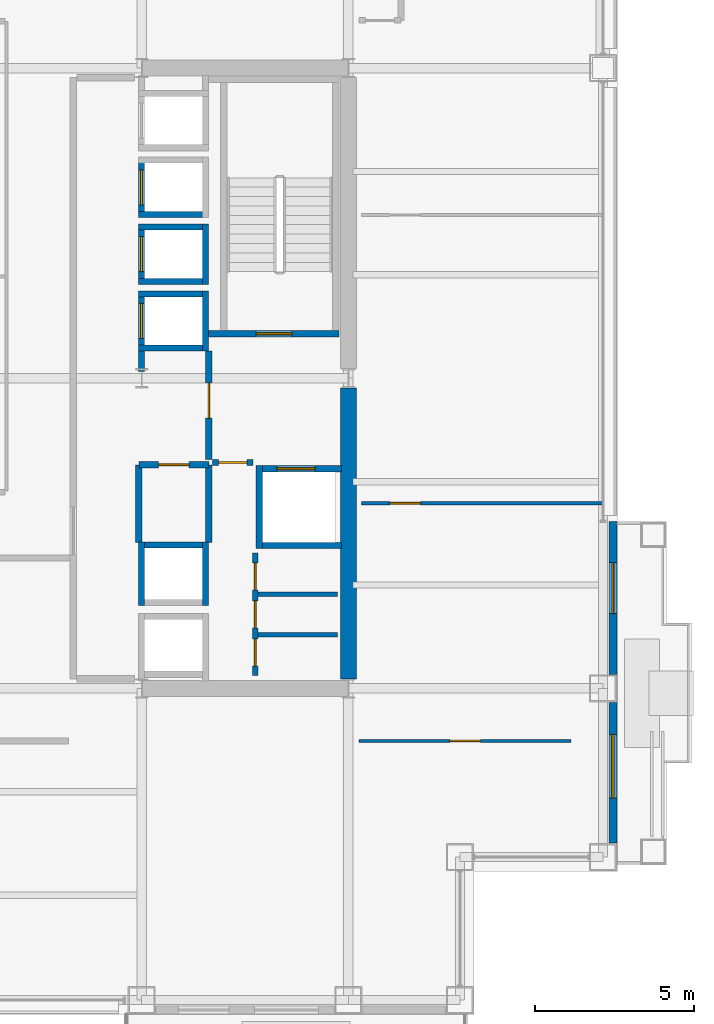
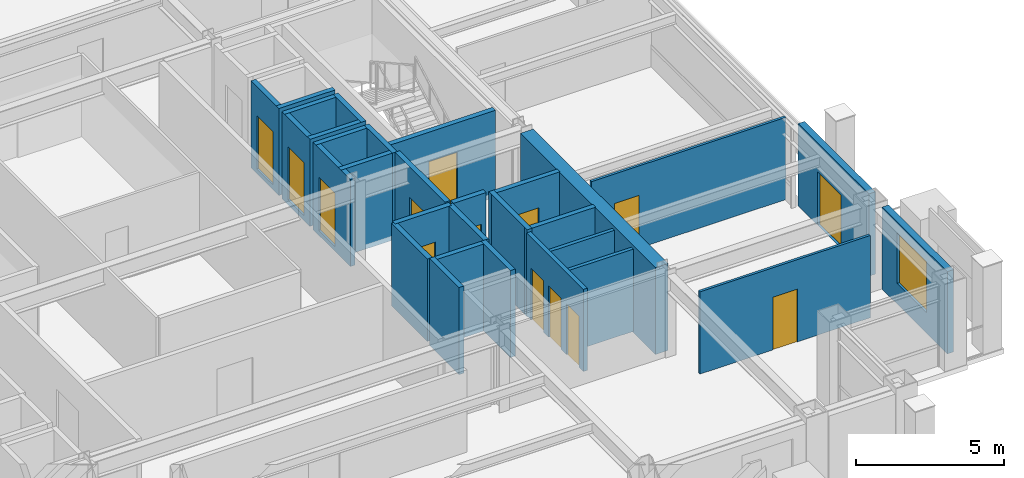
# One storey, part 27 of 32: 30 walls, 14 doors, 1 window, 15 openings.
"""IFC4 building model written with IfcOpenShell, lengths in metres."""

import ifcopenshell
import ifcopenshell.guid

model = None  # the IFC model being written
_history = None  # IfcOwnerHistory: only IFC2X3 demands one
_inside = {}  # id of a spatial element -> (the spatial element, [elements in it])
_under = {}  # id of a project, library or spatial element -> (it, [spatial elements below it])
_declared = {}  # id of a project -> (the project, [libraries it declares])
_typed = {}  # id of a type object -> (the type object, [elements of that type])
_made_of = {}  # id of a material, layer set ... -> (it, [elements and type objects made of it])


def new_model(schema):
    """Start an empty IFC model of exactly this schema.

    Asked for "IFC4X3", IfcOpenShell would pick the latest addendum, in which some entities
    have other attributes; the version numbers below select the first issue.
    IFC2X3 requires an IfcOwnerHistory on every rooted entity: one is made here for all.
    """
    global model, _history
    if schema == "IFC4X3":
        model = ifcopenshell.file(schema_version=(4, 3, 0, 0))
    else:
        model = ifcopenshell.file(schema=schema)
    _inside.clear()
    _under.clear()
    _declared.clear()
    _typed.clear()
    _made_of.clear()
    _history = None
    if model.schema == "IFC2X3":
        org = make("IfcOrganization", Name="unknown")
        user = make(
            "IfcPersonAndOrganization",
            ThePerson=make("IfcPerson", FamilyName="unknown"),
            TheOrganization=org,
        )
        app = make(
            "IfcApplication",
            ApplicationDeveloper=org,
            Version="unknown",
            ApplicationFullName="unknown",
            ApplicationIdentifier="unknown",
        )
        _history = make(
            "IfcOwnerHistory",
            OwningUser=user,
            OwningApplication=app,
            ChangeAction="ADDED",
            CreationDate=0,
        )
    return model


def make(cls, **values):
    """One entity of the class cls with the attributes given. An attribute that is None is left unset."""
    return model.create_entity(
        cls, **{name: value for name, value in values.items() if value is not None}
    )


def rooted(cls, **values):
    """An entity with a GlobalId (a new one), such as an element, a storey or a relation."""
    return make(cls, GlobalId=ifcopenshell.guid.new(), OwnerHistory=_history, **values)


def si_unit(unit_type, name, prefix=None):
    """IfcSIUnit, for example si_unit("LENGTHUNIT", "METRE", prefix="MILLI")."""
    return make("IfcSIUnit", UnitType=unit_type, Prefix=prefix, Name=name)


def assignment(units):
    """IfcUnitAssignment: the units of a project."""
    return None if units is None else make("IfcUnitAssignment", Units=units)


def point(xyz):
    """IfcCartesianPoint."""
    return None if xyz is None else make("IfcCartesianPoint", Coordinates=xyz)


def direction(xyz):
    """IfcDirection."""
    return None if xyz is None else make("IfcDirection", DirectionRatios=xyz)


def frame(location, z_axis=None, x_axis=None):
    """IfcAxis2Placement3D, a coordinate frame: its origin and axes. An axis left out is left unset."""
    return make(
        "IfcAxis2Placement3D",
        Location=point(location),
        Axis=direction(z_axis),
        RefDirection=direction(x_axis),
    )


def frame_2d(location, x_axis=None):
    """IfcAxis2Placement2D, a coordinate frame in the plane: its origin and x axis."""
    return make(
        "IfcAxis2Placement2D", Location=point(location), RefDirection=direction(x_axis)
    )


def origin():
    """The frame at (0, 0, 0) with its axes left unset."""
    return frame((0.0, 0.0, 0.0))


def place(relative_to, where):
    """IfcLocalPlacement: puts the frame where relative to a parent placement (None: the world)."""
    return make(
        "IfcLocalPlacement", PlacementRelTo=relative_to, RelativePlacement=where
    )


def context(
    kind, dimensions, precision=None, world=None, true_north=None, identifier=None
):
    """IfcGeometricRepresentationContext, for example the 3D "Model" context."""
    return make(
        "IfcGeometricRepresentationContext",
        ContextIdentifier=identifier,
        ContextType=kind,
        CoordinateSpaceDimension=dimensions,
        Precision=precision,
        WorldCoordinateSystem=world,
        TrueNorth=true_north,
    )


def subcontext(parent, identifier, kind, view, scale=None):
    """IfcGeometricRepresentationSubContext, for example "Body" below "Model"."""
    return make(
        "IfcGeometricRepresentationSubContext",
        ContextIdentifier=identifier,
        ContextType=kind,
        ParentContext=parent,
        TargetScale=scale,
        TargetView=view,
    )


def project(units=None, contexts=None):
    """IfcProject with its units and contexts."""
    return rooted(
        "IfcProject",
        Name="project",
        RepresentationContexts=contexts,
        UnitsInContext=assignment(units),
    )


def spatial(cls, under=None, at=None, **own):
    """A site, building, storey or space (cls), placed at a placement, below another one or the project."""
    s = rooted(cls, ObjectPlacement=at, **own)
    if under is not None:
        _under.setdefault(under.id(), (under, []))[1].append(s)
    return s


def profile(cls, at=None, kind="AREA", **sizes):
    """A parametric profile (cls). Its sizes go by their IFC names, for example OverallWidth=200.0."""
    return make(cls, ProfileType=kind, Position=at, **sizes)


def rectangle(**sizes):
    """IfcRectangleProfileDef."""
    return profile("IfcRectangleProfileDef", **sizes)


def extrude(swept, where, along, depth):
    """IfcExtrudedAreaSolid: the profile swept, set in the frame where, extruded along a direction by depth."""
    return make(
        "IfcExtrudedAreaSolid",
        SweptArea=swept,
        Position=where,
        ExtrudedDirection=direction(along),
        Depth=depth,
    )


def shape(context_of_items, identifier, shape_type, items):
    """IfcShapeRepresentation: the items that make up one representation, for example the "Body"."""
    return make(
        "IfcShapeRepresentation",
        ContextOfItems=context_of_items,
        RepresentationIdentifier=identifier,
        RepresentationType=shape_type,
        Items=items,
    )


def material(Name=None, Category=None):
    """IfcMaterial."""
    return make("IfcMaterial", Name=Name, Category=Category)


def layer(
    of_material, thickness, ventilated=None, Name=None, Category=None, Priority=None
):
    """IfcMaterialLayer: one layer of a wall or slab, of a material (None: an air gap)."""
    return make(
        "IfcMaterialLayer",
        Material=of_material,
        LayerThickness=thickness,
        IsVentilated=ventilated,
        Name=Name,
        Category=Category,
        Priority=Priority,
    )


def layer_set(layers, Name=None):
    """IfcMaterialLayerSet."""
    return make("IfcMaterialLayerSet", MaterialLayers=layers, LayerSetName=Name)


def made_of(thing, what):
    """Note that an element or type object is made of a material, layer set ...; save() writes the relation."""
    if what is not None:
        _made_of.setdefault(what.id(), (what, []))[1].append(thing)
    return thing


def type_object(cls, material=None, **own):
    """A type object (cls), such as IfcWallType, which elements share."""
    return made_of(rooted(cls, **own), material)


def element(
    cls,
    number,
    at=None,
    inside=None,
    cuts=None,
    type_object=None,
    material=None,
    context=None,
    identifier="Body",
    shape_type=None,
    held_by="IfcProductDefinitionShape",
    body=None,
    shapes=None,
    **own,
):
    """One element of the class cls, such as IfcWall. Its Tag is "e" and its number.

    at: its placement. inside: the storey or other place that contains it. cuts: it is an
    opening in that element (IfcRelVoidsElement). A single representation is given by context,
    identifier, shape_type and body (its items); several are given by shapes. held_by: the class
    of the entity that holds the representations. save() writes the other relations.
    """
    e = rooted(cls, Tag="e%d" % number, ObjectPlacement=at, **own)
    if body is not None:
        shapes = [shape(context, identifier, shape_type, body)]
    if shapes is not None:
        e.Representation = make(held_by, Representations=shapes)
    if inside is not None:
        _inside.setdefault(inside.id(), (inside, []))[1].append(e)
    if cuts is not None:
        rooted(
            "IfcRelVoidsElement", RelatingBuildingElement=cuts, RelatedOpeningElement=e
        )
    if type_object is not None:
        _typed.setdefault(type_object.id(), (type_object, []))[1].append(e)
    return made_of(e, material)


def fill(opening, filler):
    """IfcRelFillsElement: the door or window that sits in an opening."""
    return rooted(
        "IfcRelFillsElement",
        RelatingOpeningElement=opening,
        RelatedBuildingElement=filler,
    )


def aggregate(whole, parts):
    """IfcRelAggregates: a whole, such as a stair, and the parts it consists of."""
    return rooted("IfcRelAggregates", RelatingObject=whole, RelatedObjects=parts)


def save(model, path):
    """Write the relations noted so far, then the file.

    IfcRelAggregates (storeys below a building ...), IfcRelContainedInSpatialStructure (elements
    in a storey), IfcRelDefinesByType, IfcRelAssociatesMaterial and IfcRelDeclares: one each for
    every whole, place, type object, material and project.
    """
    for whole, parts in _under.values():
        aggregate(whole, parts)
    for where, things in _inside.values():
        rooted(
            "IfcRelContainedInSpatialStructure",
            RelatedElements=things,
            RelatingStructure=where,
        )
    for kind, things in _typed.values():
        rooted("IfcRelDefinesByType", RelatedObjects=things, RelatingType=kind)
    for what, things in _made_of.values():
        rooted("IfcRelAssociatesMaterial", RelatedObjects=things, RelatingMaterial=what)
    for by, libraries in _declared.values():
        rooted("IfcRelDeclares", RelatingContext=by, RelatedDefinitions=libraries)
    model.write(path)


model = new_model("IFC4")

# Units and contexts
model_context = context("Model", 3, precision=1e-05, world=origin(), true_north=direction((0.0, 1.0)))
body_context = subcontext(model_context, "Body", "Model", "MODEL_VIEW")
ifc_project = project(units=[si_unit("LENGTHUNIT", "METRE"), si_unit("AREAUNIT", "SQUARE_METRE"), si_unit("VOLUMEUNIT", "CUBIC_METRE"), si_unit("PLANEANGLEUNIT", "RADIAN"), si_unit("MASSUNIT", "GRAM", prefix="KILO")], contexts=[model_context])

# Site, building, storey
site_placement = place(None, origin())
site = spatial("IfcSite", under=ifc_project, at=site_placement, CompositionType="ELEMENT")
building_placement = place(site_placement, origin())
building = spatial("IfcBuilding", under=site, at=building_placement, Name="Brelmoor Portico Tower", CompositionType="ELEMENT")
storey_placement = place(building_placement, frame((0.0, 0.0, 109.800048828125)))
storey = spatial("IfcBuildingStorey", under=building, at=storey_placement, Name="L28", CompositionType="ELEMENT", Elevation=109.800048828125)

# Wall
ifc_material_1 = material(Name="Concrete C60", Category="concrete")
ifc_layer_1 = layer(ifc_material_1, 0.5)
ifc_layer_set_1 = layer_set([ifc_layer_1], Name="Concrete C60")
wall_type_1 = type_object("IfcWallType", Name="WL-CORE-500", PredefinedType="SHEAR", material=ifc_layer_set_1)
wall_1_placement = place(storey_placement, frame((14.550048828125, -9.449951171875, -0.199951171875), z_axis=(0.0, 0.0, 1.0), x_axis=(0.0, 1.0, 0.0)))
element("IfcWall", 1, at=wall_1_placement, inside=storey, type_object=wall_type_1, Name="L28 EC Outer South Shear Wall", PredefinedType="SHEAR", context=body_context, shape_type="SweptSolid", body=[
    extrude(rectangle(XDim=9.14990234375, YDim=0.5, at=frame_2d((4.574951171875, 0.0))), origin(), (0.0, 0.0, 1.0), 3.599853515625),
])

# Wall, opening, window
ifc_material_2 = material(Name="Precast Concrete C40 Insulated Facade Wall", Category="concrete")
ifc_layer_2 = layer(ifc_material_2, 0.25)
ifc_layer_set_2 = layer_set([ifc_layer_2], Name="Precast Concrete C40 Insulated Facade Wall")
wall_type_2 = type_object("IfcWallType", Name="WL-EXT-250", PredefinedType="STANDARD", material=ifc_layer_set_2)
wall_2_placement = place(storey_placement, frame((22.860107421875, -14.60498046875, 0.0), z_axis=(0.0, 0.0, 1.0), x_axis=(0.0, 1.0, 0.0)))
wall_2 = element("IfcWall", 2, at=wall_2_placement, inside=storey, type_object=wall_type_2, Name="L28 Loggia Threshold Wall E-1", PredefinedType="STANDARD", context=body_context, shape_type="SweptSolid", body=[
    extrude(rectangle(XDim=4.409912109375, YDim=0.25, at=frame_2d((2.205078125, 0.0))), origin(), (0.0, 0.0, 1.0), 3.39990234375),
])
opening_1_placement = place(wall_2_placement, frame((1.405029296875, 0.0, 0.85009765625)))
opening_1 = element("IfcOpeningElement", 3, at=opening_1_placement, cuts=wall_2, Name="Opening W-03", PredefinedType="OPENING", context=body_context, shape_type="SweptSolid", body=[
    extrude(rectangle(XDim=2.0, YDim=2.10009765625, at=frame_2d((1.0, 1.050048828125))), frame((0.0, 0.135009765625, 0.0), z_axis=(0.0, -1.0, 0.0), x_axis=(1.0, 0.0, 0.0)), (0.0, 0.0, 1.0), 0.27001953125),
])
ifc_material_3 = material(Name="Thermally Broken Aluminium Low-E Window", Category="aluminium")
window_type = type_object("IfcWindowType", Name="WN-LOGGIA-2000x2100", PartitioningType="SINGLE_PANEL", PredefinedType="WINDOW", material=ifc_material_3)
window_placement = place(opening_1_placement, origin())
window = element("IfcWindow", 4, at=window_placement, inside=storey, type_object=window_type, Name="L28 Loggia Window E", OverallHeight=2.10009765625, OverallWidth=2.0, PartitioningType="SINGLE_PANEL", PredefinedType="WINDOW", context=body_context, shape_type="SweptSolid", body=[
    extrude(rectangle(XDim=2.0, YDim=2.10009765625, at=frame_2d((1.0, 1.050048828125))), frame((0.0, 0.030029296875, 0.0), z_axis=(0.0, -1.0, 0.0), x_axis=(1.0, 0.0, 0.0)), (0.0, 0.0, 1.0), 0.06005859375),
])
fill(opening_1, window)

# Wall, opening, door
wall_3_placement = place(storey_placement, frame((22.860107421875, -9.304931640625, 0.0), z_axis=(0.0, 0.0, 1.0), x_axis=(0.0, 1.0, 0.0)))
wall_3 = element("IfcWall", 5, at=wall_3_placement, inside=storey, type_object=wall_type_2, Name="L28 Loggia Threshold Wall E-2", PredefinedType="STANDARD", context=body_context, shape_type="SweptSolid", body=[
    extrude(rectangle(XDim=4.804931640625, YDim=0.25, at=frame_2d((2.40234375, 0.0))), origin(), (0.0, 0.0, 1.0), 3.39990234375),
])
opening_2_placement = place(wall_3_placement, frame((1.905029296875, 0.0, 0.0)))
opening_2 = element("IfcOpeningElement", 6, at=opening_2_placement, cuts=wall_3, Name="Opening D-TB1", PredefinedType="OPENING", context=body_context, shape_type="SweptSolid", body=[
    extrude(rectangle(XDim=1.60009765625, YDim=2.199951171875, at=frame_2d((0.800048828125, 1.10009765625))), frame((0.0, 0.135009765625, 0.0), z_axis=(0.0, -1.0, 0.0), x_axis=(1.0, 0.0, 0.0)), (0.0, 0.0, 1.0), 0.27001953125),
])
ifc_material_4 = material(Name="Double-Leaf Thermally Broken Terrace Door", Category="aluminium")
door_type_1 = type_object("IfcDoorType", Name="DR-BALCONY-1600", OperationType="NOTDEFINED", PredefinedType="DOOR", material=ifc_material_4)
door_1_placement = place(opening_2_placement, origin())
door_1 = element("IfcDoor", 7, at=door_1_placement, inside=storey, type_object=door_type_1, Name="D-1251 L28 Tree Balcony Double Door E", OperationType="DOUBLE_DOOR_SINGLE_SWING", OverallHeight=2.199951171875, OverallWidth=1.60009765625, PredefinedType="DOOR", context=body_context, shape_type="SweptSolid", body=[
    extrude(rectangle(XDim=1.60009765625, YDim=2.199951171875, at=frame_2d((0.800048828125, 1.10009765625))), frame((0.0, 0.02490234375, 0.0), z_axis=(0.0, -1.0, 0.0), x_axis=(1.0, 0.0, 0.0)), (0.0, 0.0, 1.0), 0.050048828125),
])
fill(opening_2, door_1)

ifc_material_5 = material(Name="Demountable Glazed Office Partition", Category="aluminium")
ifc_layer_3 = layer(ifc_material_5, 0.10009765625)
ifc_layer_set_3 = layer_set([ifc_layer_3], Name="Demountable Glazed Office Partition")
wall_type_3 = type_object("IfcWallType", Name="WL-PART-100", PredefinedType="PARTITIONING", material=ifc_layer_set_3)
wall_4_placement = place(storey_placement, frame((14.8798828125, -11.39990234375, 0.0), z_axis=(0.0, 0.0, 1.0), x_axis=(1.0, 0.0, 0.0)))
wall_4 = element("IfcWall", 8, at=wall_4_placement, inside=storey, type_object=wall_type_3, Name="L28 South Wing Closure ER", PredefinedType="PARTITIONING", context=body_context, shape_type="SweptSolid", body=[
    extrude(rectangle(XDim=6.670166015625, YDim=0.10009765625, at=frame_2d((3.3349609375, 0.0))), origin(), (0.0, 0.0, 1.0), 3.39990234375),
])
opening_3_placement = place(wall_4_placement, frame((2.85498046875, 0.0, 0.0)))
opening_3 = element("IfcOpeningElement", 9, at=opening_3_placement, cuts=wall_4, Name="Opening D-IN2", PredefinedType="OPENING", context=body_context, shape_type="SweptSolid", body=[
    extrude(rectangle(XDim=0.9599609375, YDim=2.179931640625, at=frame_2d((0.47998046875, 1.08984375))), frame((0.0, 0.06005859375, 0.0), z_axis=(0.0, -1.0, 0.0), x_axis=(1.0, 0.0, 0.0)), (0.0, 0.0, 1.0), 0.1201171875),
])
ifc_material_6 = material(Name="Lacquered Timber Suite Door", Category="wood")
door_type_2 = type_object("IfcDoorType", Name="DR-INT-950", OperationType="NOTDEFINED", PredefinedType="DOOR", material=ifc_material_6)
door_2_placement = place(opening_3_placement, origin())
door_2 = element("IfcDoor", 10, at=door_2_placement, inside=storey, type_object=door_type_2, Name="D-1249 L28 ER Wing South Suite Door", OperationType="SINGLE_SWING_LEFT", OverallHeight=2.179931640625, OverallWidth=0.9599609375, PredefinedType="DOOR", context=body_context, shape_type="SweptSolid", body=[
    extrude(rectangle(XDim=0.9599609375, YDim=2.179931640625, at=frame_2d((0.47998046875, 1.08984375))), frame((0.0, 0.02490234375, 0.0), z_axis=(0.0, -1.0, 0.0), x_axis=(1.0, 0.0, 0.0)), (0.0, 0.0, 1.0), 0.050048828125),
])
fill(opening_3, door_2)

wall_5_placement = place(storey_placement, frame((14.9599609375, -3.929931640625, 0.0), z_axis=(0.0, 0.0, 1.0), x_axis=(1.0, 0.0, 0.0)))
wall_5 = element("IfcWall", 11, at=wall_5_placement, inside=storey, type_object=wall_type_3, Name="L28 E Wing Partition 1", PredefinedType="PARTITIONING", context=body_context, shape_type="SweptSolid", body=[
    extrude(rectangle(XDim=7.60009765625, YDim=0.10009765625, at=frame_2d((3.800048828125, 0.0))), origin(), (0.0, 0.0, 1.0), 3.39990234375),
])
opening_4_placement = place(wall_5_placement, frame((0.89990234375, 0.0, 0.0)))
opening_4 = element("IfcOpeningElement", 12, at=opening_4_placement, cuts=wall_5, Name="Opening D-IN2", PredefinedType="OPENING", context=body_context, shape_type="SweptSolid", body=[
    extrude(rectangle(XDim=0.9599609375, YDim=2.179931640625, at=frame_2d((0.47998046875, 1.08984375))), frame((0.0, 0.06005859375, 0.0), z_axis=(0.0, -1.0, 0.0), x_axis=(1.0, 0.0, 0.0)), (0.0, 0.0, 1.0), 0.1201171875),
])
door_3_placement = place(opening_4_placement, origin())
door_3 = element("IfcDoor", 13, at=door_3_placement, inside=storey, type_object=door_type_2, Name="D-1254 L28 E Wing Suite Connecting Door 1", OperationType="SINGLE_SWING_RIGHT", OverallHeight=2.179931640625, OverallWidth=0.9599609375, PredefinedType="DOOR", context=body_context, shape_type="SweptSolid", body=[
    extrude(rectangle(XDim=0.9599609375, YDim=2.179931640625, at=frame_2d((0.47998046875, 1.08984375))), frame((0.0, 0.02490234375, 0.0), z_axis=(0.0, -1.0, 0.0), x_axis=(1.0, 0.0, 0.0)), (0.0, 0.0, 1.0), 0.050048828125),
])
fill(opening_4, door_3)

# Walls
ifc_material_7 = material(Name="Insulated Stud Suite Partition", Category="gypsum")
ifc_layer_4 = layer(ifc_material_7, 0.139892578125)
ifc_layer_set_4 = layer_set([ifc_layer_4], Name="Insulated Stud Suite Partition")
wall_type_4 = type_object("IfcWallType", Name="WL-PART-140", PredefinedType="PARTITIONING", material=ifc_layer_set_4)
for number, where, z_axis, x_axis, name in (
    (14, (11.699951171875, -8.066650390625, 0.0), (0.0, 0.0, 1.0), (1.0, 0.0, 0.0), "L28 E Core WC Divider 1"),
    (15, (11.699951171875, -6.783203125, 0.0), (0.0, 0.0, 1.0), (1.0, 0.0, 0.0), "L28 E Core WC Divider 2"),
):
    element("IfcWall", number, at=place(storey_placement, frame(where, z_axis=z_axis, x_axis=x_axis)), inside=storey, type_object=wall_type_4, Name=name, PredefinedType="PARTITIONING", context=body_context, shape_type="SweptSolid", body=[
        extrude(rectangle(XDim=2.5, YDim=0.139892578125, at=frame_2d((1.25, 0.0))), origin(), (0.0, 0.0, 1.0), 3.39990234375),
    ])

# Wall, openings, doors
ifc_material_8 = material(Name="Twin-Frame Acoustic Partition", Category="gypsum")
ifc_layer_5 = layer(ifc_material_8, 0.159912109375)
ifc_layer_set_5 = layer_set([ifc_layer_5], Name="Twin-Frame Acoustic Partition")
wall_type_5 = type_object("IfcWallType", Name="WL-PART-160", PredefinedType="PARTITIONING", material=ifc_layer_set_5)
wall_6_placement = place(storey_placement, frame((11.6201171875, -9.35009765625, 0.0), z_axis=(0.0, 0.0, 1.0), x_axis=(0.0, 1.0, 0.0)))
wall_6 = element("IfcWall", 16, at=wall_6_placement, inside=storey, type_object=wall_type_5, Name="L28 E Core Service Front Wall", PredefinedType="PARTITIONING", context=body_context, shape_type="SweptSolid", body=[
    extrude(rectangle(XDim=3.85009765625, YDim=0.159912109375, at=frame_2d((1.925048828125, 0.0))), origin(), (0.0, 0.0, 1.0), 3.39990234375),
])
opening_5_placement = place(wall_6_placement, frame((0.300048828125, 0.0, 0.0)))
opening_5 = element("IfcOpeningElement", 17, at=opening_5_placement, cuts=wall_6, Name="Opening D-WC1", PredefinedType="OPENING", context=body_context, shape_type="SweptSolid", body=[
    extrude(rectangle(XDim=0.85009765625, YDim=2.1201171875, at=frame_2d((0.425048828125, 1.06005859375))), frame((0.0, 0.08984375, 0.0), z_axis=(0.0, -1.0, 0.0), x_axis=(1.0, 0.0, 0.0)), (0.0, 0.0, 1.0), 0.179931640625),
])
opening_6_placement = place(wall_6_placement, frame((1.5, 0.0, 0.0)))
opening_6 = element("IfcOpeningElement", 18, at=opening_6_placement, cuts=wall_6, Name="Opening D-WC1", PredefinedType="OPENING", context=body_context, shape_type="SweptSolid", body=[
    extrude(rectangle(XDim=0.85009765625, YDim=2.1201171875, at=frame_2d((0.425048828125, 1.06005859375))), frame((0.0, 0.08984375, 0.0), z_axis=(0.0, -1.0, 0.0), x_axis=(1.0, 0.0, 0.0)), (0.0, 0.0, 1.0), 0.179931640625),
])
opening_7_placement = place(wall_6_placement, frame((2.699951171875, 0.0, 0.0)))
opening_7 = element("IfcOpeningElement", 19, at=opening_7_placement, cuts=wall_6, Name="Opening D-WC1", PredefinedType="OPENING", context=body_context, shape_type="SweptSolid", body=[
    extrude(rectangle(XDim=0.85009765625, YDim=2.1201171875, at=frame_2d((0.425048828125, 1.06005859375))), frame((0.0, 0.08984375, 0.0), z_axis=(0.0, -1.0, 0.0), x_axis=(1.0, 0.0, 0.0)), (0.0, 0.0, 1.0), 0.179931640625),
])
ifc_material_9 = material(Name="Moisture-Resistant Laminate WC Door", Category="timber")
door_type_3 = type_object("IfcDoorType", Name="DR-WC-850", OperationType="NOTDEFINED", PredefinedType="DOOR", material=ifc_material_9)
door_4_placement = place(opening_5_placement, origin())
door_4 = element("IfcDoor", 20, at=door_4_placement, inside=storey, type_object=door_type_3, Name="D-1223 L28 E Male WC Door", OperationType="SINGLE_SWING_LEFT", OverallHeight=2.1201171875, OverallWidth=0.85009765625, PredefinedType="DOOR", context=body_context, shape_type="SweptSolid", body=[
    extrude(rectangle(XDim=0.85009765625, YDim=2.1201171875, at=frame_2d((0.425048828125, 1.06005859375))), frame((0.0, 0.02490234375, 0.0), z_axis=(0.0, -1.0, 0.0), x_axis=(1.0, 0.0, 0.0)), (0.0, 0.0, 1.0), 0.050048828125),
])
fill(opening_5, door_4)
door_5_placement = place(opening_6_placement, origin())
door_5 = element("IfcDoor", 21, at=door_5_placement, inside=storey, type_object=door_type_3, Name="D-1224 L28 E Female WC Door", OperationType="SINGLE_SWING_RIGHT", OverallHeight=2.1201171875, OverallWidth=0.85009765625, PredefinedType="DOOR", context=body_context, shape_type="SweptSolid", body=[
    extrude(rectangle(XDim=0.85009765625, YDim=2.1201171875, at=frame_2d((0.425048828125, 1.06005859375))), frame((0.0, 0.02490234375, 0.0), z_axis=(0.0, -1.0, 0.0), x_axis=(1.0, 0.0, 0.0)), (0.0, 0.0, 1.0), 0.050048828125),
])
fill(opening_6, door_5)
door_6_placement = place(opening_7_placement, origin())
door_6 = element("IfcDoor", 22, at=door_6_placement, inside=storey, type_object=door_type_3, Name="D-1225 L28 E Janitor Store Door", OperationType="SINGLE_SWING_LEFT", OverallHeight=2.1201171875, OverallWidth=0.85009765625, PredefinedType="DOOR", context=body_context, shape_type="SweptSolid", body=[
    extrude(rectangle(XDim=0.85009765625, YDim=2.1201171875, at=frame_2d((0.425048828125, 1.06005859375))), frame((0.0, 0.02490234375, 0.0), z_axis=(0.0, -1.0, 0.0), x_axis=(1.0, 0.0, 0.0)), (0.0, 0.0, 1.0), 0.050048828125),
])
fill(opening_7, door_6)

# Wall, opening, door
ifc_material_10 = material(Name="Double-Stud Gypsum Fire Partition", Category="gypsum")
ifc_layer_6 = layer(ifc_material_10, 0.199951171875)
ifc_layer_set_6 = layer_set([ifc_layer_6], Name="Double-Stud Gypsum Fire Partition")
wall_type_6 = type_object("IfcWallType", Name="WL-PART-200", PredefinedType="PARTITIONING", material=ifc_layer_set_6)
wall_7_placement = place(storey_placement, frame((10.159912109375, -2.550048828125, 0.0), z_axis=(0.0, 0.0, 1.0), x_axis=(0.0, 1.0, 0.0)))
wall_7 = element("IfcWall", 23, at=wall_7_placement, inside=storey, type_object=wall_type_6, Name="L28 E Firefighting Lobby Wall", PredefinedType="PARTITIONING", context=body_context, shape_type="SweptSolid", body=[
    extrude(rectangle(XDim=3.400146484375, YDim=0.199951171875, at=frame_2d((1.7001953125, 0.0))), origin(), (0.0, 0.0, 1.0), 3.39990234375),
])
opening_8_placement = place(wall_7_placement, frame((1.300048828125, 0.0, 0.0)))
opening_8 = element("IfcOpeningElement", 24, at=opening_8_placement, cuts=wall_7, Name="Opening D-FR1", PredefinedType="OPENING", context=body_context, shape_type="SweptSolid", body=[
    extrude(rectangle(XDim=1.10009765625, YDim=2.14990234375, at=frame_2d((0.550048828125, 1.074951171875))), frame((0.0, 0.10986328125, 0.0), z_axis=(0.0, -1.0, 0.0), x_axis=(1.0, 0.0, 0.0)), (0.0, 0.0, 1.0), 0.219970703125),
])
ifc_material_11 = material(Name="Painted Galvanised Steel Fire Door", Category="steel")
door_type_4 = type_object("IfcDoorType", Name="DR-FIRE-1100", OperationType="NOTDEFINED", PredefinedType="DOOR", material=ifc_material_11)
door_7_placement = place(opening_8_placement, origin())
door_7 = element("IfcDoor", 25, at=door_7_placement, inside=storey, type_object=door_type_4, Name="D-1231 L28 E Firefighting Lobby Door", OperationType="SINGLE_SWING_RIGHT", OverallHeight=2.14990234375, OverallWidth=1.10009765625, PredefinedType="DOOR", context=body_context, shape_type="SweptSolid", body=[
    extrude(rectangle(XDim=1.10009765625, YDim=2.14990234375, at=frame_2d((0.550048828125, 1.074951171875))), frame((0.0, 0.02490234375, 0.0), z_axis=(0.0, -1.0, 0.0), x_axis=(1.0, 0.0, 0.0)), (0.0, 0.0, 1.0), 0.050048828125),
])
fill(opening_8, door_7)

wall_8_placement = place(storey_placement, frame((10.280029296875, -2.64990234375, 0.0), z_axis=(0.0, 0.0, 1.0), x_axis=(1.0, 0.0, 0.0)))
wall_8 = element("IfcWall", 26, at=wall_8_placement, inside=storey, type_object=wall_type_6, Name="L28 E Firefighting Lobby South Wall", PredefinedType="PARTITIONING", context=body_context, shape_type="SweptSolid", body=[
    extrude(rectangle(XDim=1.27001953125, YDim=0.199951171875, at=frame_2d((0.635009765625, 0.0))), origin(), (0.0, 0.0, 1.0), 3.39990234375),
])
opening_9_placement = place(wall_8_placement, frame((0.18505859375, 0.0, 0.0)))
opening_9 = element("IfcOpeningElement", 27, at=opening_9_placement, cuts=wall_8, Name="Opening D-IN1", PredefinedType="OPENING", context=body_context, shape_type="SweptSolid", body=[
    extrude(rectangle(XDim=0.89990234375, YDim=2.14990234375, at=frame_2d((0.449951171875, 1.074951171875))), frame((0.0, 0.10986328125, 0.0), z_axis=(0.0, -1.0, 0.0), x_axis=(1.0, 0.0, 0.0)), (0.0, 0.0, 1.0), 0.219970703125),
])
door_type_5 = type_object("IfcDoorType", Name="DR-INT-900", OperationType="NOTDEFINED", PredefinedType="DOOR", material=ifc_material_6)
door_8_placement = place(opening_9_placement, origin())
door_8 = element("IfcDoor", 28, at=door_8_placement, inside=storey, type_object=door_type_5, Name="D-1226 L28 E Core Service Vestibule Door", OperationType="SINGLE_SWING_LEFT", OverallHeight=2.14990234375, OverallWidth=0.89990234375, PredefinedType="DOOR", context=body_context, shape_type="SweptSolid", body=[
    extrude(rectangle(XDim=0.89990234375, YDim=2.14990234375, at=frame_2d((0.449951171875, 1.074951171875))), frame((0.0, 0.02490234375, 0.0), z_axis=(0.0, -1.0, 0.0), x_axis=(1.0, 0.0, 0.0)), (0.0, 0.0, 1.0), 0.050048828125),
])
fill(opening_9, door_8)

wall_9_placement = place(storey_placement, frame((7.9599609375, -2.719970703125, 0.0), z_axis=(0.0, 0.0, 1.0), x_axis=(1.0, 0.0, 0.0)))
wall_9 = element("IfcWall", 29, at=wall_9_placement, inside=storey, type_object=wall_type_6, Name="L28 E Electrical Switchgear Closet Wall", PredefinedType="PARTITIONING", context=body_context, shape_type="SweptSolid", body=[
    extrude(rectangle(XDim=2.199951171875, YDim=0.199951171875, at=frame_2d((1.10009765625, 0.0))), origin(), (0.0, 0.0, 1.0), 3.39990234375),
])
opening_10_placement = place(wall_9_placement, frame((0.6201171875, 0.0, 0.0)))
opening_10 = element("IfcOpeningElement", 30, at=opening_10_placement, cuts=wall_9, Name="Opening D-FR4", PredefinedType="OPENING", context=body_context, shape_type="SweptSolid", body=[
    extrude(rectangle(XDim=0.949951171875, YDim=2.10009765625, at=frame_2d((0.47509765625, 1.050048828125))), frame((0.0, 0.10986328125, 0.0), z_axis=(0.0, -1.0, 0.0), x_axis=(1.0, 0.0, 0.0)), (0.0, 0.0, 1.0), 0.219970703125),
])
ifc_material_12 = material(Name="Painted Galvanised Steel Riser Door", Category="steel")
door_type_6 = type_object("IfcDoorType", Name="DR-FIRE-950", OperationType="NOTDEFINED", PredefinedType="DOOR", material=ifc_material_12)
door_9_placement = place(opening_10_placement, origin())
door_9 = element("IfcDoor", 31, at=door_9_placement, inside=storey, type_object=door_type_6, Name="D-1229 L28 E Electrical Switchgear Closet Door", OperationType="SINGLE_SWING_RIGHT", OverallHeight=2.10009765625, OverallWidth=0.949951171875, PredefinedType="DOOR", context=body_context, shape_type="SweptSolid", body=[
    extrude(rectangle(XDim=0.949951171875, YDim=2.10009765625, at=frame_2d((0.47509765625, 1.050048828125))), frame((0.0, 0.02490234375, 0.0), z_axis=(0.0, -1.0, 0.0), x_axis=(1.0, 0.0, 0.0)), (0.0, 0.0, 1.0), 0.050048828125),
])
fill(opening_10, door_9)

# Walls
for number, where, z_axis, x_axis, name in (
    (32, (7.9599609375, -5.159912109375, 0.0), (0.0, 0.0, 1.0), (0.0, 1.0, 0.0), "L28 E Electrical Switchgear Closet Inner Wall"),
    (33, (10.159912109375, -5.159912109375, 0.0), (0.0, 0.0, 1.0), (0.0, 1.0, 0.0), "L28 E Electrical Switchgear Closet Outer Wall"),
):
    element("IfcWall", number, at=place(storey_placement, frame(where, z_axis=z_axis, x_axis=x_axis)), inside=storey, type_object=wall_type_6, Name=name, PredefinedType="PARTITIONING", context=body_context, shape_type="SweptSolid", body=[
        extrude(rectangle(XDim=2.43994140625, YDim=0.199951171875, at=frame_2d((1.219970703125, 0.0))), origin(), (0.0, 0.0, 1.0), 3.39990234375),
    ])

# Wall, opening, door
ifc_material_13 = material(Name="Precast Concrete C40", Category="concrete")
ifc_layer_7 = layer(ifc_material_13, 0.18994140625)
ifc_layer_set_7 = layer_set([ifc_layer_7], Name="Precast Concrete C40")
wall_type_7 = type_object("IfcWallType", Name="WL-SHAFT-180", PredefinedType="SOLIDWALL", material=ifc_layer_set_7)
wall_10_placement = place(storey_placement, frame((8.044921875, 0.2099609375, -0.199951171875), z_axis=(0.0, 0.0, 1.0), x_axis=(0.0, 1.0, 0.0)))
wall_10 = element("IfcWall", 34, at=wall_10_placement, inside=storey, type_object=wall_type_7, Name="L28 Lift PM1 Hoistway Front Wall", PredefinedType="SOLIDWALL", context=body_context, shape_type="SweptSolid", body=[
    extrude(rectangle(XDim=2.5400390625, YDim=0.18994140625, at=frame_2d((1.27001953125, 0.0))), origin(), (0.0, 0.0, 1.0), 3.599853515625),
])
opening_11_placement = place(wall_10_placement, frame((1.0400390625, 0.0, 0.199951171875)))
opening_11 = element("IfcOpeningElement", 35, at=opening_11_placement, cuts=wall_10, Name="Opening LD-01", PredefinedType="OPENING", context=body_context, shape_type="SweptSolid", body=[
    extrude(rectangle(XDim=1.10009765625, YDim=2.199951171875, at=frame_2d((0.550048828125, 1.10009765625))), frame((0.0, 0.10498046875, 0.0), z_axis=(0.0, -1.0, 0.0), x_axis=(1.0, 0.0, 0.0)), (0.0, 0.0, 1.0), 0.2099609375),
])
ifc_material_14 = material(Name="Brushed Stainless Steel Sliding Lift Door", Category="steel")
door_type_7 = type_object("IfcDoorType", Name="DR-LIFT-1100", OperationType="NOTDEFINED", PredefinedType="DOOR", material=ifc_material_14)
door_10_placement = place(opening_11_placement, origin())
door_10 = element("IfcDoor", 36, at=door_10_placement, inside=storey, type_object=door_type_7, Name="D-1260 L28 Lift PM1 Sliding Landing Door", OperationType="SLIDING_TO_LEFT", OverallHeight=2.199951171875, OverallWidth=1.10009765625, PredefinedType="DOOR", context=body_context, shape_type="SweptSolid", body=[
    extrude(rectangle(XDim=1.10009765625, YDim=2.199951171875, at=frame_2d((0.550048828125, 1.10009765625))), frame((0.0, 0.02490234375, 0.0), z_axis=(0.0, -1.0, 0.0), x_axis=(1.0, 0.0, 0.0)), (0.0, 0.0, 1.0), 0.050048828125),
])
fill(opening_11, door_10)

# Walls
wall_11_placement = place(storey_placement, frame((10.054931640625, 0.85009765625, -0.199951171875), z_axis=(0.0, 0.0, 1.0), x_axis=(0.0, 1.0, 0.0)))
element("IfcWall", 37, at=wall_11_placement, inside=storey, type_object=wall_type_7, Name="L28 Lift PM1 Hoistway Back Wall", PredefinedType="SOLIDWALL", context=body_context, shape_type="SweptSolid", body=[
    extrude(rectangle(XDim=1.89990234375, YDim=0.18994140625, at=frame_2d((0.949951171875, 0.0))), origin(), (0.0, 0.0, 1.0), 3.599853515625),
])
for number, where, z_axis, x_axis, name in (
    (38, (7.949951171875, 2.655029296875, -0.199951171875), (0.0, 0.0, 1.0), (1.0, 0.0, 0.0), "L28 Lift PM1 Hoistway North Wall"),
    (39, (7.949951171875, 0.945068359375, -0.199951171875), (0.0, 0.0, 1.0), (1.0, 0.0, 0.0), "L28 Lift PM1 Hoistway South Wall"),
):
    element("IfcWall", number, at=place(storey_placement, frame(where, z_axis=z_axis, x_axis=x_axis)), inside=storey, type_object=wall_type_7, Name=name, PredefinedType="SOLIDWALL", context=body_context, shape_type="SweptSolid", body=[
        extrude(rectangle(XDim=2.199951171875, YDim=0.18994140625, at=frame_2d((1.10009765625, 0.0))), origin(), (0.0, 0.0, 1.0), 3.599853515625),
    ])

# Wall, opening, door
wall_12_placement = place(storey_placement, frame((8.044921875, 2.949951171875, -0.199951171875), z_axis=(0.0, 0.0, 1.0), x_axis=(0.0, 1.0, 0.0)))
wall_12 = element("IfcWall", 40, at=wall_12_placement, inside=storey, type_object=wall_type_7, Name="L28 Lift PM2 Hoistway Front Wall", PredefinedType="SOLIDWALL", context=body_context, shape_type="SweptSolid", body=[
    extrude(rectangle(XDim=1.900146484375, YDim=0.18994140625, at=frame_2d((0.9501953125, 0.0))), origin(), (0.0, 0.0, 1.0), 3.599853515625),
])
opening_12_placement = place(wall_12_placement, frame((0.39990234375, 0.0, 0.199951171875)))
opening_12 = element("IfcOpeningElement", 41, at=opening_12_placement, cuts=wall_12, Name="Opening LD-01", PredefinedType="OPENING", context=body_context, shape_type="SweptSolid", body=[
    extrude(rectangle(XDim=1.10009765625, YDim=2.199951171875, at=frame_2d((0.550048828125, 1.10009765625))), frame((0.0, 0.10498046875, 0.0), z_axis=(0.0, -1.0, 0.0), x_axis=(1.0, 0.0, 0.0)), (0.0, 0.0, 1.0), 0.2099609375),
])
door_11_placement = place(opening_12_placement, origin())
door_11 = element("IfcDoor", 42, at=door_11_placement, inside=storey, type_object=door_type_7, Name="D-1261 L28 Lift PM2 Sliding Landing Door", OperationType="SLIDING_TO_LEFT", OverallHeight=2.199951171875, OverallWidth=1.10009765625, PredefinedType="DOOR", context=body_context, shape_type="SweptSolid", body=[
    extrude(rectangle(XDim=1.10009765625, YDim=2.199951171875, at=frame_2d((0.550048828125, 1.10009765625))), frame((0.0, 0.02490234375, 0.0), z_axis=(0.0, -1.0, 0.0), x_axis=(1.0, 0.0, 0.0)), (0.0, 0.0, 1.0), 0.050048828125),
])
fill(opening_12, door_11)

# Walls
wall_13_placement = place(storey_placement, frame((10.054931640625, 2.949951171875, -0.199951171875), z_axis=(0.0, 0.0, 1.0), x_axis=(0.0, 1.0, 0.0)))
element("IfcWall", 43, at=wall_13_placement, inside=storey, type_object=wall_type_7, Name="L28 Lift PM2 Hoistway Back Wall", PredefinedType="SOLIDWALL", context=body_context, shape_type="SweptSolid", body=[
    extrude(rectangle(XDim=1.900146484375, YDim=0.18994140625, at=frame_2d((0.9501953125, 0.0))), origin(), (0.0, 0.0, 1.0), 3.599853515625),
])
for number, where, z_axis, x_axis, name in (
    (44, (7.949951171875, 4.7548828125, -0.199951171875), (0.0, 0.0, 1.0), (1.0, 0.0, 0.0), "L28 Lift PM2 Hoistway North Wall"),
    (45, (7.949951171875, 3.044921875, -0.199951171875), (0.0, 0.0, 1.0), (1.0, 0.0, 0.0), "L28 Lift PM2 Hoistway South Wall"),
):
    element("IfcWall", number, at=place(storey_placement, frame(where, z_axis=z_axis, x_axis=x_axis)), inside=storey, type_object=wall_type_7, Name=name, PredefinedType="SOLIDWALL", context=body_context, shape_type="SweptSolid", body=[
        extrude(rectangle(XDim=2.199951171875, YDim=0.18994140625, at=frame_2d((1.10009765625, 0.0))), origin(), (0.0, 0.0, 1.0), 3.599853515625),
    ])

# Wall, opening, door
wall_14_placement = place(storey_placement, frame((8.044921875, 5.050048828125, -0.199951171875), z_axis=(0.0, 0.0, 1.0), x_axis=(0.0, 1.0, 0.0)))
wall_14 = element("IfcWall", 46, at=wall_14_placement, inside=storey, type_object=wall_type_7, Name="L28 Lift PM3 Hoistway Front Wall", PredefinedType="SOLIDWALL", context=body_context, shape_type="SweptSolid", body=[
    extrude(rectangle(XDim=1.89990234375, YDim=0.18994140625, at=frame_2d((0.949951171875, 0.0))), origin(), (0.0, 0.0, 1.0), 3.599853515625),
])
opening_13_placement = place(wall_14_placement, frame((0.39990234375, 0.0, 0.199951171875)))
opening_13 = element("IfcOpeningElement", 47, at=opening_13_placement, cuts=wall_14, Name="Opening LD-01", PredefinedType="OPENING", context=body_context, shape_type="SweptSolid", body=[
    extrude(rectangle(XDim=1.10009765625, YDim=2.199951171875, at=frame_2d((0.550048828125, 1.10009765625))), frame((0.0, 0.10498046875, 0.0), z_axis=(0.0, -1.0, 0.0), x_axis=(1.0, 0.0, 0.0)), (0.0, 0.0, 1.0), 0.2099609375),
])
door_12_placement = place(opening_13_placement, origin())
door_12 = element("IfcDoor", 48, at=door_12_placement, inside=storey, type_object=door_type_7, Name="D-1262 L28 Lift PM3 Sliding Landing Door", OperationType="SLIDING_TO_LEFT", OverallHeight=2.199951171875, OverallWidth=1.10009765625, PredefinedType="DOOR", context=body_context, shape_type="SweptSolid", body=[
    extrude(rectangle(XDim=1.10009765625, YDim=2.199951171875, at=frame_2d((0.550048828125, 1.10009765625))), frame((0.0, 0.02490234375, 0.0), z_axis=(0.0, -1.0, 0.0), x_axis=(1.0, 0.0, 0.0)), (0.0, 0.0, 1.0), 0.050048828125),
])
fill(opening_13, door_12)

# Walls
wall_15_placement = place(storey_placement, frame((7.949951171875, 5.14501953125, -0.199951171875), z_axis=(0.0, 0.0, 1.0), x_axis=(1.0, 0.0, 0.0)))
element("IfcWall", 49, at=wall_15_placement, inside=storey, type_object=wall_type_7, Name="L28 Lift PM3 Hoistway South Wall", PredefinedType="SOLIDWALL", context=body_context, shape_type="SweptSolid", body=[
    extrude(rectangle(XDim=2.199951171875, YDim=0.18994140625, at=frame_2d((1.10009765625, 0.0))), origin(), (0.0, 0.0, 1.0), 3.599853515625),
])
for number, where, z_axis, x_axis, name in (
    (50, (8.044921875, -7.14990234375, -0.199951171875), (0.0, 0.0, 1.0), (0.0, 1.0, 0.0), "L28 Lift PH4 Hoistway Front Wall"),
    (51, (10.054931640625, -7.14990234375, -0.199951171875), (0.0, 0.0, 1.0), (0.0, 1.0, 0.0), "L28 Lift PH4 Hoistway Back Wall"),
):
    element("IfcWall", number, at=place(storey_placement, frame(where, z_axis=z_axis, x_axis=x_axis)), inside=storey, type_object=wall_type_7, Name=name, PredefinedType="SOLIDWALL", context=body_context, shape_type="SweptSolid", body=[
        extrude(rectangle(XDim=2.0, YDim=0.18994140625, at=frame_2d((1.0, 0.0))), origin(), (0.0, 0.0, 1.0), 3.599853515625),
    ])
wall_16_placement = place(storey_placement, frame((7.949951171875, -5.2451171875, -0.199951171875), z_axis=(0.0, 0.0, 1.0), x_axis=(1.0, 0.0, 0.0)))
element("IfcWall", 52, at=wall_16_placement, inside=storey, type_object=wall_type_7, Name="L28 Lift PH4 Hoistway North Wall", PredefinedType="SOLIDWALL", context=body_context, shape_type="SweptSolid", body=[
    extrude(rectangle(XDim=2.199951171875, YDim=0.18994140625, at=frame_2d((1.10009765625, 0.0))), origin(), (0.0, 0.0, 1.0), 3.599853515625),
])

# Wall, opening, door
wall_17_placement = place(storey_placement, frame((11.64990234375, -2.844970703125, -0.199951171875), z_axis=(0.0, 0.0, 1.0), x_axis=(1.0, 0.0, 0.0)))
wall_17 = element("IfcWall", 53, at=wall_17_placement, inside=storey, type_object=wall_type_7, Name="L28 Lift FF2 Hoistway Front Wall", PredefinedType="SOLIDWALL", context=body_context, shape_type="SweptSolid", body=[
    extrude(rectangle(XDim=2.68017578125, YDim=0.18994140625, at=frame_2d((1.340087890625, 0.0))), origin(), (0.0, 0.0, 1.0), 3.599853515625),
])
opening_14_placement = place(wall_17_placement, frame((0.64990234375, 0.0, 0.199951171875)))
opening_14 = element("IfcOpeningElement", 54, at=opening_14_placement, cuts=wall_17, Name="Opening LD-02", PredefinedType="OPENING", context=body_context, shape_type="SweptSolid", body=[
    extrude(rectangle(XDim=1.199951171875, YDim=2.199951171875, at=frame_2d((0.60009765625, 1.10009765625))), frame((0.0, 0.10498046875, 0.0), z_axis=(0.0, -1.0, 0.0), x_axis=(1.0, 0.0, 0.0)), (0.0, 0.0, 1.0), 0.2099609375),
])
ifc_material_15 = material(Name="Brushed Stainless Steel Firefighting Lift Door", Category="steel")
door_type_8 = type_object("IfcDoorType", Name="DR-LIFT-1200", OperationType="NOTDEFINED", PredefinedType="DOOR", material=ifc_material_15)
door_13_placement = place(opening_14_placement, origin())
door_13 = element("IfcDoor", 55, at=door_13_placement, inside=storey, type_object=door_type_8, Name="D-1259 L28 Lift FF2 Sliding Landing Door", OperationType="SLIDING_TO_LEFT", OverallHeight=2.199951171875, OverallWidth=1.199951171875, PredefinedType="DOOR", context=body_context, shape_type="SweptSolid", body=[
    extrude(rectangle(XDim=1.199951171875, YDim=2.199951171875, at=frame_2d((0.60009765625, 1.10009765625))), frame((0.0, 0.02490234375, 0.0), z_axis=(0.0, -1.0, 0.0), x_axis=(1.0, 0.0, 0.0)), (0.0, 0.0, 1.0), 0.050048828125),
])
fill(opening_14, door_13)

# Walls
wall_18_placement = place(storey_placement, frame((11.64990234375, -5.2548828125, -0.199951171875), z_axis=(0.0, 0.0, 1.0), x_axis=(1.0, 0.0, 0.0)))
element("IfcWall", 56, at=wall_18_placement, inside=storey, type_object=wall_type_7, Name="L28 Firefighting Lift FF2 South Wall", PredefinedType="SOLIDWALL", context=body_context, shape_type="SweptSolid", body=[
    extrude(rectangle(XDim=2.68017578125, YDim=0.18994140625, at=frame_2d((1.340087890625, 0.0))), origin(), (0.0, 0.0, 1.0), 3.599853515625),
])
wall_19_placement = place(storey_placement, frame((11.7451171875, -5.35009765625, -0.199951171875), z_axis=(0.0, 0.0, 1.0), x_axis=(0.0, 1.0, 0.0)))
element("IfcWall", 57, at=wall_19_placement, inside=storey, type_object=wall_type_7, Name="L28 Firefighting Lift FF2 Inner Wall", PredefinedType="SOLIDWALL", context=body_context, shape_type="SweptSolid", body=[
    extrude(rectangle(XDim=2.60009765625, YDim=0.18994140625, at=frame_2d((1.300048828125, 0.0))), origin(), (0.0, 0.0, 1.0), 3.599853515625),
])

# Wall, opening, door
ifc_material_16 = material(Name="Concrete C40", Category="concrete")
ifc_layer_8 = layer(ifc_material_16, 0.199951171875)
ifc_layer_set_8 = layer_set([ifc_layer_8], Name="Concrete C40")
wall_type_8 = type_object("IfcWallType", Name="WL-SHAFT-RC200", PredefinedType="SOLIDWALL", material=ifc_layer_set_8)
wall_20_placement = place(storey_placement, frame((10.14990234375, 1.39990234375, -0.199951171875), z_axis=(0.0, 0.0, 1.0), x_axis=(1.0, 0.0, 0.0)))
wall_20 = element("IfcWall", 58, at=wall_20_placement, inside=storey, type_object=wall_type_8, Name="L28 ST-E Structural Stair Wall S", PredefinedType="SOLIDWALL", context=body_context, shape_type="SweptSolid", body=[
    extrude(rectangle(XDim=4.10009765625, YDim=0.199951171875, at=frame_2d((2.050048828125, 0.0))), origin(), (0.0, 0.0, 1.0), 3.599853515625),
])
opening_15_placement = place(wall_20_placement, frame((1.5, 0.0, 0.199951171875)))
opening_15 = element("IfcOpeningElement", 59, at=opening_15_placement, cuts=wall_20, Name="Opening D-ST1", PredefinedType="OPENING", context=body_context, shape_type="SweptSolid", body=[
    extrude(rectangle(XDim=1.1201171875, YDim=2.179931640625, at=frame_2d((0.56005859375, 1.08984375))), frame((0.0, 0.10986328125, 0.0), z_axis=(0.0, -1.0, 0.0), x_axis=(1.0, 0.0, 0.0)), (0.0, 0.0, 1.0), 0.219970703125),
])
door_type_9 = type_object("IfcDoorType", Name="DR-STAIR-1100", OperationType="NOTDEFINED", PredefinedType="DOOR", material=ifc_material_11)
door_14_placement = place(opening_15_placement, origin())
door_14 = element("IfcDoor", 60, at=door_14_placement, inside=storey, type_object=door_type_9, Name="D-1247 L28 ST-E Protected Exit Stair Door", OperationType="SINGLE_SWING_RIGHT", OverallHeight=2.179931640625, OverallWidth=1.1201171875, PredefinedType="DOOR", context=body_context, shape_type="SweptSolid", body=[
    extrude(rectangle(XDim=1.1201171875, YDim=2.179931640625, at=frame_2d((0.56005859375, 1.08984375))), frame((0.0, 0.02490234375, 0.0), z_axis=(0.0, -1.0, 0.0), x_axis=(1.0, 0.0, 0.0)), (0.0, 0.0, 1.0), 0.050048828125),
])
fill(opening_15, door_14)

save(model, "model.ifc")
